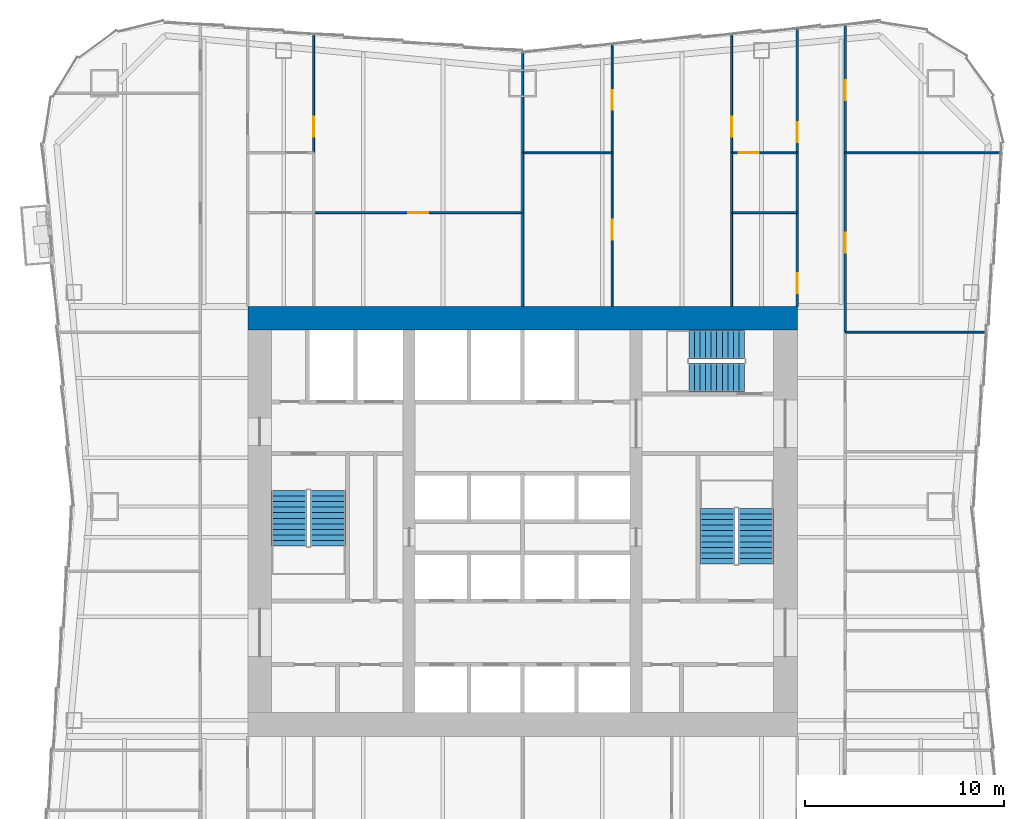
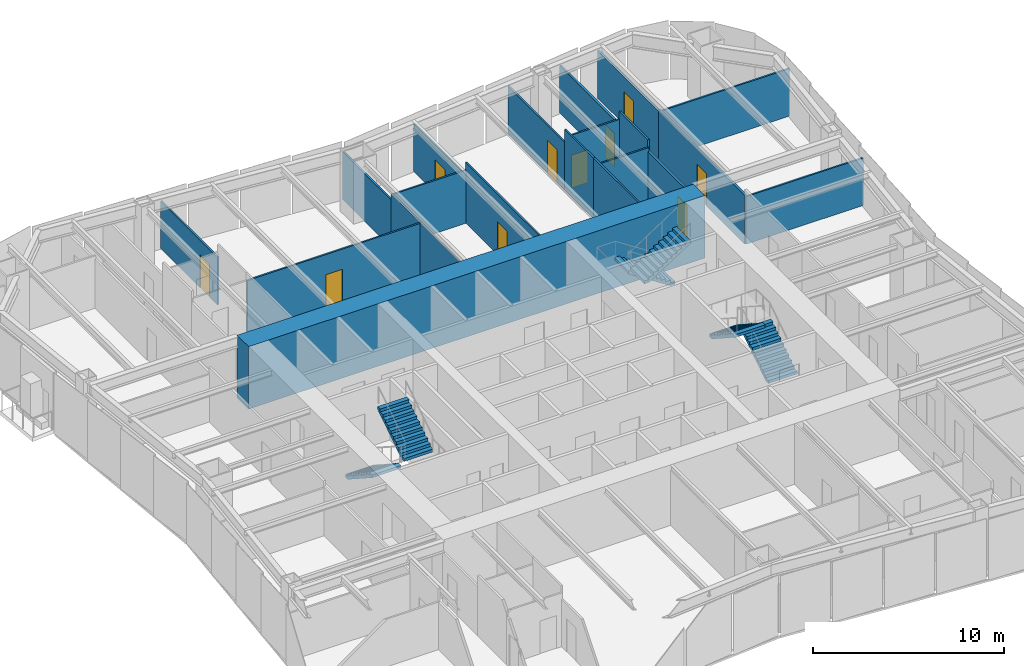
# One storey, part 7 of 9: 21 walls, 10 doors, 6 stair flights, 10 openings, 3 elements without a shape of their own.
"""IFC4 building model written with IfcOpenShell, lengths in metres."""

from ifc_helpers import new_model, si_unit, direction, frame, frame_2d, origin, place, context, subcontext, project, spatial, polyline, rectangle, outline, extrude, material, layer, layer_set, type_object, element, fill, aggregate, save


model = new_model("IFC4")

# Units and contexts
model_context = context("Model", 3, precision=1e-05, world=origin(), true_north=direction((0.0, 1.0)))
body_context = subcontext(model_context, "Body", "Model", "MODEL_VIEW")
ifc_project = project(units=[si_unit("LENGTHUNIT", "METRE"), si_unit("AREAUNIT", "SQUARE_METRE"), si_unit("VOLUMEUNIT", "CUBIC_METRE"), si_unit("PLANEANGLEUNIT", "RADIAN"), si_unit("MASSUNIT", "GRAM", prefix="KILO")], contexts=[model_context])

# Site, building, storey
site_placement = place(None, origin())
site = spatial("IfcSite", under=ifc_project, at=site_placement, CompositionType="ELEMENT")
building_placement = place(site_placement, origin())
building = spatial("IfcBuilding", under=site, at=building_placement, Name="Verdant Reach Tower", CompositionType="ELEMENT")
storey_placement = place(building_placement, frame((0.0, 0.0, 90.0)))
storey = spatial("IfcBuildingStorey", under=building, at=storey_placement, Name="L20", CompositionType="ELEMENT", Elevation=90.0)

# Walls
ifc_material_1 = material(Name="Gypsum board on steel studs", Category="steel")
ifc_layer_1 = layer(ifc_material_1, 0.10009765625)
ifc_layer_set_1 = layer_set([ifc_layer_1], Name="FL-W1 Partition 100")
wall_type_1 = type_object("IfcWallType", Name="FL-W1 Partition 100", PredefinedType="PARTITIONING", material=ifc_layer_set_1)
wall_1_placement = place(storey_placement, frame((23.29931640625, 37.5, 0.0), z_axis=(0.0, 0.0, 1.0), x_axis=(-1.0, 0.0, 0.0)))
element("IfcWall", 1, at=wall_1_placement, inside=storey, type_object=wall_type_1, Name="Partition 20.39", PredefinedType="PARTITIONING", context=body_context, shape_type="SweptSolid", body=[
    extrude(rectangle(XDim=7.099365234375, YDim=0.10009765625, at=frame_2d((3.5498046875, 0.0))), origin(), (0.0, 0.0, 1.0), 3.0400390625),
])
wall_2_placement = place(storey_placement, frame((24.038818359375, 46.5, 0.0), z_axis=(0.0, 0.0, 1.0), x_axis=(-1.0, 0.0, 0.0)))
element("IfcWall", 2, at=wall_2_placement, inside=storey, type_object=wall_type_1, Name="Partition 20.40", PredefinedType="PARTITIONING", context=body_context, shape_type="SweptSolid", body=[
    extrude(rectangle(XDim=7.8388671875, YDim=0.10009765625, at=frame_2d((3.91943359375, 0.0))), origin(), (0.0, 0.0, 1.0), 3.0400390625),
])

# Wall, opening, door
wall_3_placement = place(storey_placement, frame((-10.5, 52.455078125, 0.0), z_axis=(0.0, 0.0, 1.0), x_axis=(0.0, -1.0, 0.0)))
wall_3 = element("IfcWall", 3, at=wall_3_placement, inside=storey, type_object=wall_type_1, Name="Partition 20.60", PredefinedType="PARTITIONING", context=body_context, shape_type="SweptSolid", body=[
    extrude(rectangle(XDim=5.958984375, YDim=0.10009765625, at=frame_2d((2.9794921875, 0.0))), origin(), (0.0, 0.0, 1.0), 3.0400390625),
])
opening_1_placement = place(wall_3_placement, frame((4.14453125, 0.0, 0.0)))
opening_1 = element("IfcOpeningElement", 4, at=opening_1_placement, cuts=wall_3, Name="Opening D3", PredefinedType="OPENING", context=body_context, shape_type="SweptSolid", body=[
    extrude(rectangle(XDim=1.0, YDim=2.10009765625, at=frame_2d((0.5, 1.050048828125))), frame((0.0, 0.06005859375, 0.0), z_axis=(0.0, -1.0, 0.0), x_axis=(1.0, 0.0, 0.0)), (0.0, 0.0, 1.0), 0.1201171875),
])
ifc_material_2 = material(Name="Painted timber door leaf", Category="wood")
door_type_1 = type_object("IfcDoorType", Name="FL-D3 Door 1000x2100", OperationType="NOTDEFINED", PredefinedType="DOOR", material=ifc_material_2)
door_1_placement = place(opening_1_placement, origin())
door_1 = element("IfcDoor", 5, at=door_1_placement, inside=storey, type_object=door_type_1, Name="Door 20-031", OperationType="SINGLE_SWING_RIGHT", OverallHeight=2.10009765625, OverallWidth=1.0, PredefinedType="DOOR", context=body_context, shape_type="SweptSolid", body=[
    extrude(rectangle(XDim=1.0, YDim=2.10009765625, at=frame_2d((0.5, 1.050048828125))), frame((0.0, 0.02490234375, 0.0), z_axis=(0.0, -1.0, 0.0), x_axis=(1.0, 0.0, 0.0)), (0.0, 0.0, 1.0), 0.050048828125),
])
fill(opening_1, door_1)

wall_4_placement = place(storey_placement, frame((0.0, 43.5, 0.0), z_axis=(0.0, 0.0, 1.0), x_axis=(-1.0, 0.0, 0.0)))
wall_4 = element("IfcWall", 6, at=wall_4_placement, inside=storey, type_object=wall_type_1, Name="Partition 20.61", PredefinedType="PARTITIONING", context=body_context, shape_type="SweptSolid", body=[
    extrude(rectangle(XDim=10.5, YDim=0.10009765625, at=frame_2d((5.25, 0.0))), origin(), (0.0, 0.0, 1.0), 3.389892578125),
])
opening_2_placement = place(wall_4_placement, frame((4.75, 0.0, 0.0)))
opening_2 = element("IfcOpeningElement", 7, at=opening_2_placement, cuts=wall_4, Name="Opening D3", PredefinedType="OPENING", context=body_context, shape_type="SweptSolid", body=[
    extrude(rectangle(XDim=1.0, YDim=2.10009765625, at=frame_2d((0.5, 1.050048828125))), frame((0.0, 0.06005859375, 0.0), z_axis=(0.0, -1.0, 0.0), x_axis=(1.0, 0.0, 0.0)), (0.0, 0.0, 1.0), 0.1201171875),
])
door_2_placement = place(opening_2_placement, origin())
door_2 = element("IfcDoor", 8, at=door_2_placement, inside=storey, type_object=door_type_1, Name="Door 20-032", OperationType="SINGLE_SWING_RIGHT", OverallHeight=2.10009765625, OverallWidth=1.0, PredefinedType="DOOR", context=body_context, shape_type="SweptSolid", body=[
    extrude(rectangle(XDim=1.0, YDim=2.10009765625, at=frame_2d((0.5, 1.050048828125))), frame((0.0, 0.02490234375, 0.0), z_axis=(0.0, -1.0, 0.0), x_axis=(1.0, 0.0, 0.0)), (0.0, 0.0, 1.0), 0.050048828125),
])
fill(opening_2, door_2)

# Walls
wall_5_placement = place(storey_placement, frame((0.0, 38.800048828125, 0.0), z_axis=(0.0, 0.0, 1.0), x_axis=(0.0, 1.0, 0.0)))
element("IfcWall", 9, at=wall_5_placement, inside=storey, type_object=wall_type_1, Name="Partition 20.62", PredefinedType="PARTITIONING", context=body_context, shape_type="SweptSolid", body=[
    extrude(rectangle(XDim=4.703857421875, YDim=0.10009765625, at=frame_2d((2.35205078125, 0.0))), origin(), (0.0, 0.0, 1.0), 3.43994140625),
])
wall_6_placement = place(storey_placement, frame((0.0, 43.49609375, 0.0), z_axis=(0.0, 0.0, 1.0), x_axis=(0.0, 1.0, 0.0)))
element("IfcWall", 10, at=wall_6_placement, inside=storey, type_object=wall_type_1, Name="Partition 20.63", PredefinedType="PARTITIONING", context=body_context, shape_type="SweptSolid", body=[
    extrude(rectangle(XDim=3.00390625, YDim=0.10009765625, at=frame_2d((1.501953125, 0.0))), origin(), (0.0, 0.0, 1.0), 3.43994140625),
])
wall_7_placement = place(storey_placement, frame((0.0, 46.5, 0.0), z_axis=(0.0, 0.0, 1.0), x_axis=(0.0, 1.0, 0.0)))
element("IfcWall", 11, at=wall_7_placement, inside=storey, type_object=wall_type_1, Name="Partition 20.64", PredefinedType="PARTITIONING", context=body_context, shape_type="SweptSolid", body=[
    extrude(rectangle(XDim=5.080078125, YDim=0.10009765625, at=frame_2d((2.5400390625, 0.0))), origin(), (0.0, 0.0, 1.0), 3.0400390625),
])
wall_8_placement = place(storey_placement, frame((13.800048828125, 43.5, 0.0), z_axis=(0.0, 0.0, 1.0), x_axis=(-1.0, 0.0, 0.0)))
element("IfcWall", 12, at=wall_8_placement, inside=storey, type_object=wall_type_1, Name="Partition 20.65", PredefinedType="PARTITIONING", context=body_context, shape_type="SweptSolid", body=[
    extrude(rectangle(XDim=3.300048828125, YDim=0.10009765625, at=frame_2d((1.64990234375, 0.0))), origin(), (0.0, 0.0, 1.0), 3.389892578125),
])
wall_9_placement = place(storey_placement, frame((10.5, 43.50390625, 0.0), z_axis=(0.0, 0.0, 1.0), x_axis=(0.0, -1.0, 0.0)))
element("IfcWall", 13, at=wall_9_placement, inside=storey, type_object=wall_type_1, Name="Partition 20.66", PredefinedType="PARTITIONING", context=body_context, shape_type="SweptSolid", body=[
    extrude(rectangle(XDim=4.703857421875, YDim=0.10009765625, at=frame_2d((2.35205078125, 0.0))), origin(), (0.0, 0.0, 1.0), 3.8701171875),
])

# Wall, opening, door
wall_10_placement = place(storey_placement, frame((13.800048828125, 46.5, 0.0), z_axis=(0.0, 0.0, 1.0), x_axis=(-1.0, 0.0, 0.0)))
wall_10 = element("IfcWall", 14, at=wall_10_placement, inside=storey, type_object=wall_type_1, Name="Partition 20.67", PredefinedType="PARTITIONING", context=body_context, shape_type="SweptSolid", body=[
    extrude(rectangle(XDim=3.300048828125, YDim=0.10009765625, at=frame_2d((1.64990234375, 0.0))), origin(), (0.0, 0.0, 1.0), 3.389892578125),
])
opening_3_placement = place(wall_10_placement, frame((1.949951171875, 0.0, 0.0)))
opening_3 = element("IfcOpeningElement", 15, at=opening_3_placement, cuts=wall_10, Name="Opening D3", PredefinedType="OPENING", context=body_context, shape_type="SweptSolid", body=[
    extrude(rectangle(XDim=1.0, YDim=2.10009765625, at=frame_2d((0.5, 1.050048828125))), frame((0.0, 0.06005859375, 0.0), z_axis=(0.0, -1.0, 0.0), x_axis=(1.0, 0.0, 0.0)), (0.0, 0.0, 1.0), 0.1201171875),
])
door_3_placement = place(opening_3_placement, origin())
door_3 = element("IfcDoor", 16, at=door_3_placement, inside=storey, type_object=door_type_1, Name="Door 20-033", OperationType="SINGLE_SWING_RIGHT", OverallHeight=2.10009765625, OverallWidth=1.0, PredefinedType="DOOR", context=body_context, shape_type="SweptSolid", body=[
    extrude(rectangle(XDim=1.0, YDim=2.10009765625, at=frame_2d((0.5, 1.050048828125))), frame((0.0, 0.02490234375, 0.0), z_axis=(0.0, -1.0, 0.0), x_axis=(1.0, 0.0, 0.0)), (0.0, 0.0, 1.0), 0.050048828125),
])
fill(opening_3, door_3)

# Wall
wall_11_placement = place(storey_placement, frame((10.5, 46.50390625, 0.0), z_axis=(0.0, 0.0, 1.0), x_axis=(0.0, -1.0, 0.0)))
element("IfcWall", 17, at=wall_11_placement, inside=storey, type_object=wall_type_1, Name="Partition 20.68", PredefinedType="PARTITIONING", context=body_context, shape_type="SweptSolid", body=[
    extrude(rectangle(XDim=3.0078125, YDim=0.10009765625, at=frame_2d((1.50390625, 0.0))), origin(), (0.0, 0.0, 1.0), 3.8701171875),
])

# Wall, opening, door
wall_12_placement = place(storey_placement, frame((10.5, 46.49609375, 0.0), z_axis=(0.0, 0.0, 1.0), x_axis=(0.0, 1.0, 0.0)))
wall_12 = element("IfcWall", 18, at=wall_12_placement, inside=storey, type_object=wall_type_1, Name="Partition 20.69", PredefinedType="PARTITIONING", context=body_context, shape_type="SweptSolid", body=[
    extrude(rectangle(XDim=5.958984375, YDim=0.10009765625, at=frame_2d((2.9794921875, 0.0))), origin(), (0.0, 0.0, 1.0), 3.0400390625),
])
opening_4_placement = place(wall_12_placement, frame((0.814453125, 0.0, 0.0)))
opening_4 = element("IfcOpeningElement", 19, at=opening_4_placement, cuts=wall_12, Name="Opening D3", PredefinedType="OPENING", context=body_context, shape_type="SweptSolid", body=[
    extrude(rectangle(XDim=1.0, YDim=2.10009765625, at=frame_2d((0.5, 1.050048828125))), frame((0.0, 0.06005859375, 0.0), z_axis=(0.0, -1.0, 0.0), x_axis=(1.0, 0.0, 0.0)), (0.0, 0.0, 1.0), 0.1201171875),
])
door_4_placement = place(opening_4_placement, origin())
door_4 = element("IfcDoor", 20, at=door_4_placement, inside=storey, type_object=door_type_1, Name="Door 20-034", OperationType="SINGLE_SWING_LEFT", OverallHeight=2.10009765625, OverallWidth=1.0, PredefinedType="DOOR", context=body_context, shape_type="SweptSolid", body=[
    extrude(rectangle(XDim=1.0, YDim=2.10009765625, at=frame_2d((0.5, 1.050048828125))), frame((0.0, 0.02490234375, 0.0), z_axis=(0.0, -1.0, 0.0), x_axis=(1.0, 0.0, 0.0)), (0.0, 0.0, 1.0), 0.050048828125),
])
fill(opening_4, door_4)

wall_13_placement = place(storey_placement, frame((4.5, 38.800048828125, 0.0), z_axis=(0.0, 0.0, 1.0), x_axis=(0.0, 1.0, 0.0)))
wall_13 = element("IfcWall", 21, at=wall_13_placement, inside=storey, type_object=wall_type_1, Name="Partition 20.70", PredefinedType="PARTITIONING", context=body_context, shape_type="SweptSolid", body=[
    extrude(rectangle(XDim=7.699951171875, YDim=0.10009765625, at=frame_2d((3.85009765625, 0.0))), origin(), (0.0, 0.0, 1.0), 3.8701171875),
])
opening_5_placement = place(wall_13_placement, frame((3.35009765625, 0.0, 0.0)))
opening_5 = element("IfcOpeningElement", 22, at=opening_5_placement, cuts=wall_13, Name="Opening D3", PredefinedType="OPENING", context=body_context, shape_type="SweptSolid", body=[
    extrude(rectangle(XDim=1.0, YDim=2.10009765625, at=frame_2d((0.5, 1.050048828125))), frame((0.0, 0.06005859375, 0.0), z_axis=(0.0, -1.0, 0.0), x_axis=(1.0, 0.0, 0.0)), (0.0, 0.0, 1.0), 0.1201171875),
])
door_5_placement = place(opening_5_placement, origin())
door_5 = element("IfcDoor", 23, at=door_5_placement, inside=storey, type_object=door_type_1, Name="Door 20-035", OperationType="SINGLE_SWING_LEFT", OverallHeight=2.10009765625, OverallWidth=1.0, PredefinedType="DOOR", context=body_context, shape_type="SweptSolid", body=[
    extrude(rectangle(XDim=1.0, YDim=2.10009765625, at=frame_2d((0.5, 1.050048828125))), frame((0.0, 0.02490234375, 0.0), z_axis=(0.0, -1.0, 0.0), x_axis=(1.0, 0.0, 0.0)), (0.0, 0.0, 1.0), 0.050048828125),
])
fill(opening_5, door_5)

wall_14_placement = place(storey_placement, frame((4.5, 46.5, 0.0), z_axis=(0.0, 0.0, 1.0), x_axis=(0.0, 1.0, 0.0)))
wall_14 = element("IfcWall", 24, at=wall_14_placement, inside=storey, type_object=wall_type_1, Name="Partition 20.71", PredefinedType="PARTITIONING", context=body_context, shape_type="SweptSolid", body=[
    extrude(rectangle(XDim=5.455078125, YDim=0.10009765625, at=frame_2d((2.7275390625, 0.0))), origin(), (0.0, 0.0, 1.0), 3.0400390625),
])
opening_6_placement = place(wall_14_placement, frame((2.162353515625, 0.0, 0.0)))
opening_6 = element("IfcOpeningElement", 25, at=opening_6_placement, cuts=wall_14, Name="Opening D3", PredefinedType="OPENING", context=body_context, shape_type="SweptSolid", body=[
    extrude(rectangle(XDim=1.0, YDim=2.10009765625, at=frame_2d((0.5, 1.050048828125))), frame((0.0, 0.06005859375, 0.0), z_axis=(0.0, -1.0, 0.0), x_axis=(1.0, 0.0, 0.0)), (0.0, 0.0, 1.0), 0.1201171875),
])
door_6_placement = place(opening_6_placement, origin())
door_6 = element("IfcDoor", 26, at=door_6_placement, inside=storey, type_object=door_type_1, Name="Door 20-036", OperationType="SINGLE_SWING_LEFT", OverallHeight=2.10009765625, OverallWidth=1.0, PredefinedType="DOOR", context=body_context, shape_type="SweptSolid", body=[
    extrude(rectangle(XDim=1.0, YDim=2.10009765625, at=frame_2d((0.5, 1.050048828125))), frame((0.0, 0.02490234375, 0.0), z_axis=(0.0, -1.0, 0.0), x_axis=(1.0, 0.0, 0.0)), (0.0, 0.0, 1.0), 0.050048828125),
])
fill(opening_6, door_6)

# Wall
wall_15_placement = place(storey_placement, frame((4.5, 46.5, 0.0), z_axis=(0.0, 0.0, 1.0), x_axis=(-1.0, 0.0, 0.0)))
element("IfcWall", 27, at=wall_15_placement, inside=storey, type_object=wall_type_1, Name="Partition 20.72", PredefinedType="PARTITIONING", context=body_context, shape_type="SweptSolid", body=[
    extrude(rectangle(XDim=4.5, YDim=0.10009765625, at=frame_2d((2.25, 0.0))), origin(), (0.0, 0.0, 1.0), 3.389892578125),
])

# Wall, opening, door
ifc_material_3 = material(Name="Gypsum board on steel studs, fire rated", Category="steel")
ifc_layer_2 = layer(ifc_material_3, 0.125)
ifc_layer_set_2 = layer_set([ifc_layer_2], Name="FL-W2 Corridor wall 125")
wall_type_2 = type_object("IfcWallType", Name="FL-W2 Corridor wall 125", PredefinedType="PARTITIONING", material=ifc_layer_set_2)
wall_16_placement = place(storey_placement, frame((16.199951171875, 46.5, 0.0), z_axis=(0.0, 0.0, 1.0), x_axis=(0.0, -1.0, 0.0)))
wall_16 = element("IfcWall", 28, at=wall_16_placement, inside=storey, type_object=wall_type_2, Name="Partition 20.20", PredefinedType="PARTITIONING", context=body_context, shape_type="SweptSolid", body=[
    extrude(rectangle(XDim=9.0, YDim=0.125, at=frame_2d((4.5, 0.0))), origin(), (0.0, 0.0, 1.0), 3.139892578125),
])
opening_7_placement = place(wall_16_placement, frame((4.0, 0.0, 0.0)))
opening_7 = element("IfcOpeningElement", 29, at=opening_7_placement, cuts=wall_16, Name="Opening D2", PredefinedType="OPENING", context=body_context, shape_type="SweptSolid", body=[
    extrude(rectangle(XDim=1.0, YDim=2.10009765625, at=frame_2d((0.5, 1.050048828125))), frame((0.0, 0.072509765625, 0.0), z_axis=(0.0, -1.0, 0.0), x_axis=(1.0, 0.0, 0.0)), (0.0, 0.0, 1.0), 0.14501953125),
])
ifc_material_4 = material(Name="Timber door leaf, fire rated", Category="wood")
door_type_2 = type_object("IfcDoorType", Name="FL-D2 Entrance door 1000x2100 FD30", OperationType="NOTDEFINED", PredefinedType="DOOR", material=ifc_material_4)
door_7_placement = place(opening_7_placement, origin())
door_7 = element("IfcDoor", 30, at=door_7_placement, inside=storey, type_object=door_type_2, Name="Door 20-017", OperationType="SINGLE_SWING_LEFT", OverallHeight=2.10009765625, OverallWidth=1.0, PredefinedType="DOOR", context=body_context, shape_type="SweptSolid", body=[
    extrude(rectangle(XDim=1.0, YDim=2.10009765625, at=frame_2d((0.5, 1.050048828125))), frame((0.0, 0.02490234375, 0.0), z_axis=(0.0, -1.0, 0.0), x_axis=(1.0, 0.0, 0.0)), (0.0, 0.0, 1.0), 0.050048828125),
])
fill(opening_7, door_7)

wall_17_placement = place(storey_placement, frame((16.199951171875, 52.929931640625, 0.0), z_axis=(0.0, 0.0, 1.0), x_axis=(0.0, -1.0, 0.0)))
wall_17 = element("IfcWall", 31, at=wall_17_placement, inside=storey, type_object=wall_type_2, Name="Partition 20.21", PredefinedType="PARTITIONING", context=body_context, shape_type="SweptSolid", body=[
    extrude(rectangle(XDim=6.429931640625, YDim=0.125, at=frame_2d((3.21484375, 0.0))), origin(), (0.0, 0.0, 1.0), 3.0400390625),
])
opening_8_placement = place(wall_17_placement, frame((2.780029296875, 0.0, 0.0)))
opening_8 = element("IfcOpeningElement", 32, at=opening_8_placement, cuts=wall_17, Name="Opening D2", PredefinedType="OPENING", context=body_context, shape_type="SweptSolid", body=[
    extrude(rectangle(XDim=1.0, YDim=2.10009765625, at=frame_2d((0.5, 1.050048828125))), frame((0.0, 0.072509765625, 0.0), z_axis=(0.0, -1.0, 0.0), x_axis=(1.0, 0.0, 0.0)), (0.0, 0.0, 1.0), 0.14501953125),
])
door_8_placement = place(opening_8_placement, origin())
door_8 = element("IfcDoor", 33, at=door_8_placement, inside=storey, type_object=door_type_2, Name="Door 20-018", OperationType="SINGLE_SWING_RIGHT", OverallHeight=2.10009765625, OverallWidth=1.0, PredefinedType="DOOR", context=body_context, shape_type="SweptSolid", body=[
    extrude(rectangle(XDim=1.0, YDim=2.10009765625, at=frame_2d((0.5, 1.050048828125))), frame((0.0, 0.02490234375, 0.0), z_axis=(0.0, -1.0, 0.0), x_axis=(1.0, 0.0, 0.0)), (0.0, 0.0, 1.0), 0.050048828125),
])
fill(opening_8, door_8)

wall_18_placement = place(storey_placement, frame((13.800048828125, 38.800048828125, 0.0), z_axis=(0.0, 0.0, 1.0), x_axis=(0.0, 1.0, 0.0)))
wall_18 = element("IfcWall", 34, at=wall_18_placement, inside=storey, type_object=wall_type_2, Name="Partition 20.25", PredefinedType="PARTITIONING", context=body_context, shape_type="SweptSolid", body=[
    extrude(rectangle(XDim=4.699951171875, YDim=0.125, at=frame_2d((2.35009765625, 0.0))), origin(), (0.0, 0.0, 1.0), 3.139892578125),
])
opening_9_placement = place(wall_18_placement, frame((0.64990234375, 0.0, 0.0)))
opening_9 = element("IfcOpeningElement", 35, at=opening_9_placement, cuts=wall_18, Name="Opening D2", PredefinedType="OPENING", context=body_context, shape_type="SweptSolid", body=[
    extrude(rectangle(XDim=1.0, YDim=2.10009765625, at=frame_2d((0.5, 1.050048828125))), frame((0.0, 0.072509765625, 0.0), z_axis=(0.0, -1.0, 0.0), x_axis=(1.0, 0.0, 0.0)), (0.0, 0.0, 1.0), 0.14501953125),
])
door_9_placement = place(opening_9_placement, origin())
door_9 = element("IfcDoor", 36, at=door_9_placement, inside=storey, type_object=door_type_2, Name="Door 20-021", OperationType="SINGLE_SWING_LEFT", OverallHeight=2.10009765625, OverallWidth=1.0, PredefinedType="DOOR", context=body_context, shape_type="SweptSolid", body=[
    extrude(rectangle(XDim=1.0, YDim=2.10009765625, at=frame_2d((0.5, 1.050048828125))), frame((0.0, 0.02490234375, 0.0), z_axis=(0.0, -1.0, 0.0), x_axis=(1.0, 0.0, 0.0)), (0.0, 0.0, 1.0), 0.050048828125),
])
fill(opening_9, door_9)

# Wall
wall_19_placement = place(storey_placement, frame((13.800048828125, 46.5, 0.0), z_axis=(0.0, 0.0, 1.0), x_axis=(0.0, -1.0, 0.0)))
element("IfcWall", 37, at=wall_19_placement, inside=storey, type_object=wall_type_2, Name="Partition 20.26", PredefinedType="PARTITIONING", context=body_context, shape_type="SweptSolid", body=[
    extrude(rectangle(XDim=3.0, YDim=0.125, at=frame_2d((1.5, 0.0))), origin(), (0.0, 0.0, 1.0), 3.8701171875),
])

# Wall, opening, door
wall_20_placement = place(storey_placement, frame((13.800048828125, 46.5, 0.0), z_axis=(0.0, 0.0, 1.0), x_axis=(0.0, 1.0, 0.0)))
wall_20 = element("IfcWall", 38, at=wall_20_placement, inside=storey, type_object=wall_type_2, Name="Partition 20.27", PredefinedType="PARTITIONING", context=body_context, shape_type="SweptSolid", body=[
    extrude(rectangle(XDim=6.22998046875, YDim=0.125, at=frame_2d((3.114990234375, 0.0))), origin(), (0.0, 0.0, 1.0), 3.0400390625),
])
opening_10_placement = place(wall_20_placement, frame((0.5498046875, 0.0, 0.0)))
opening_10 = element("IfcOpeningElement", 39, at=opening_10_placement, cuts=wall_20, Name="Opening D2", PredefinedType="OPENING", context=body_context, shape_type="SweptSolid", body=[
    extrude(rectangle(XDim=1.0, YDim=2.10009765625, at=frame_2d((0.5, 1.050048828125))), frame((0.0, 0.072509765625, 0.0), z_axis=(0.0, -1.0, 0.0), x_axis=(1.0, 0.0, 0.0)), (0.0, 0.0, 1.0), 0.14501953125),
])
door_10_placement = place(opening_10_placement, origin())
door_10 = element("IfcDoor", 40, at=door_10_placement, inside=storey, type_object=door_type_2, Name="Door 20-022", OperationType="SINGLE_SWING_LEFT", OverallHeight=2.10009765625, OverallWidth=1.0, PredefinedType="DOOR", context=body_context, shape_type="SweptSolid", body=[
    extrude(rectangle(XDim=1.0, YDim=2.10009765625, at=frame_2d((0.5, 1.050048828125))), frame((0.0, 0.02490234375, 0.0), z_axis=(0.0, -1.0, 0.0), x_axis=(1.0, 0.0, 0.0)), (0.0, 0.0, 1.0), 0.050048828125),
])
fill(opening_10, door_10)

# Wall
ifc_material_5 = material(Name="Concrete C70/85", Category="concrete")
ifc_layer_3 = layer(ifc_material_5, 1.199951171875)
ifc_layer_set_3 = layer_set([ifc_layer_3], Name="ST-CORE-WALL-1200")
wall_type_3 = type_object("IfcWallType", Name="ST-CORE-WALL-1200", PredefinedType="SHEAR", material=ifc_layer_set_3)
wall_21_placement = place(storey_placement, frame((-13.800048828125, 38.199951171875, -0.1298828125), z_axis=(0.0, 0.0, 1.0), x_axis=(1.0, 0.0, 0.0)))
element("IfcWall", 41, at=wall_21_placement, inside=storey, type_object=wall_type_3, Name="Core wall N, L20", PredefinedType="SHEAR", context=body_context, shape_type="SweptSolid", body=[
    extrude(rectangle(XDim=27.60009765625, YDim=1.199951171875, at=frame_2d((13.800048828125, 0.0))), origin(), (0.0, 0.0, 1.0), 4.0),
])

# Stair, stair flights
ifc_material_6 = material(Name="Concrete C40/50", Category="concrete")
stair_type = type_object("IfcStairType", Name="CO-STAIR", PredefinedType="HALF_TURN_STAIR", material=ifc_material_6)
stair_1_placement = place(storey_placement, origin())
stair_1 = element("IfcStair", 42, at=stair_1_placement, inside=storey, type_object=stair_type, Name="L20 Exit stair 1", PredefinedType="HALF_TURN_STAIR")
stair_flight_type = type_object("IfcStairFlightType", Name="CO-STAIR-FLIGHT", PredefinedType="STRAIGHT", material=ifc_material_6)
stair_flight_1_placement = place(storey_placement, frame((-11.72509765625, 29.550048828125, 0.0), z_axis=(0.0, 0.0, 1.0), x_axis=(0.0, -1.0, 0.0)))
stair_flight_1 = element("IfcStairFlight", 43, at=stair_flight_1_placement, type_object=stair_flight_type, Name="ST-1 flight 1", NumberOfRisers=11, NumberOfTreads=10, PredefinedType="STRAIGHT", RiserHeight=0.181818182, TreadLength=0.28, context=body_context, shape_type="SweptSolid", body=[
    extrude(outline(polyline([(0.0, 0.0), (0.0, 0.181884765625), (0.280029296875, 0.181884765625), (0.280029296875, 0.363525390625), (0.56005859375, 0.363525390625), (0.56005859375, 0.54541015625), (0.840087890625, 0.54541015625), (0.840087890625, 0.727294921875), (1.1201171875, 0.727294921875), (1.1201171875, 0.9091796875), (1.39990234375, 0.9091796875), (1.39990234375, 1.0908203125), (1.679931640625, 1.0908203125), (1.679931640625, 1.272705078125), (1.9599609375, 1.272705078125), (1.9599609375, 1.45458984375), (2.239990234375, 1.45458984375), (2.239990234375, 1.636474609375), (2.52001953125, 1.636474609375), (2.52001953125, 1.818115234375), (2.800048828125, 1.818115234375), (2.800048828125, 2.0), (2.800048828125, 1.639404296875), (0.275146484375, 0.0), (0.0, 0.0)])), frame((0.0, 0.875, 0.0), z_axis=(0.0, -1.0, 0.0), x_axis=(1.0, 0.0, 0.0)), (0.0, 0.0, 1.0), 1.75),
])
stair_flight_2_placement = place(storey_placement, frame((-9.77490234375, 26.75, 2.0), z_axis=(0.0, 0.0, 1.0), x_axis=(0.0, 1.0, 0.0)))
stair_flight_2 = element("IfcStairFlight", 44, at=stair_flight_2_placement, type_object=stair_flight_type, Name="ST-1 flight 2", NumberOfRisers=11, NumberOfTreads=10, PredefinedType="STRAIGHT", RiserHeight=0.181818182, TreadLength=0.28, context=body_context, shape_type="SweptSolid", body=[
    extrude(outline(polyline([(0.0, 0.0), (0.0, 0.181884765625), (0.280029296875, 0.181884765625), (0.280029296875, 0.363525390625), (0.56005859375, 0.363525390625), (0.56005859375, 0.54541015625), (0.840087890625, 0.54541015625), (0.840087890625, 0.727294921875), (1.1201171875, 0.727294921875), (1.1201171875, 0.9091796875), (1.39990234375, 0.9091796875), (1.39990234375, 1.0908203125), (1.679931640625, 1.0908203125), (1.679931640625, 1.272705078125), (1.9599609375, 1.272705078125), (1.9599609375, 1.45458984375), (2.239990234375, 1.45458984375), (2.239990234375, 1.636474609375), (2.52001953125, 1.636474609375), (2.52001953125, 1.818115234375), (2.800048828125, 1.818115234375), (2.800048828125, 2.0), (2.800048828125, 1.639404296875), (0.275146484375, 0.0), (0.0, 0.0)])), frame((0.0, 0.875, 0.0), z_axis=(0.0, -1.0, 0.0), x_axis=(1.0, 0.0, 0.0)), (0.0, 0.0, 1.0), 1.75),
])
aggregate(stair_1, [stair_flight_1, stair_flight_2])

stair_2_placement = place(storey_placement, origin())
stair_2 = element("IfcStair", 45, at=stair_2_placement, inside=storey, type_object=stair_type, Name="L20 Exit stair 2", PredefinedType="HALF_TURN_STAIR")
stair_flight_3_placement = place(storey_placement, frame((11.72509765625, 25.85009765625, 0.0), z_axis=(0.0, 0.0, 1.0), x_axis=(0.0, 1.0, 0.0)))
stair_flight_3 = element("IfcStairFlight", 46, at=stair_flight_3_placement, type_object=stair_flight_type, Name="ST-2 flight 1", NumberOfRisers=11, NumberOfTreads=10, PredefinedType="STRAIGHT", RiserHeight=0.181818182, TreadLength=0.28, context=body_context, shape_type="SweptSolid", body=[
    extrude(outline(polyline([(0.0, 0.0), (0.0, 0.181884765625), (0.280029296875, 0.181884765625), (0.280029296875, 0.363525390625), (0.56005859375, 0.363525390625), (0.56005859375, 0.54541015625), (0.840087890625, 0.54541015625), (0.840087890625, 0.727294921875), (1.1201171875, 0.727294921875), (1.1201171875, 0.9091796875), (1.39990234375, 0.9091796875), (1.39990234375, 1.0908203125), (1.679931640625, 1.0908203125), (1.679931640625, 1.272705078125), (1.9599609375, 1.272705078125), (1.9599609375, 1.45458984375), (2.239990234375, 1.45458984375), (2.239990234375, 1.636474609375), (2.52001953125, 1.636474609375), (2.52001953125, 1.818115234375), (2.800048828125, 1.818115234375), (2.800048828125, 2.0), (2.800048828125, 1.639404296875), (0.275146484375, 0.0), (0.0, 0.0)])), frame((0.0, 0.875, 0.0), z_axis=(0.0, -1.0, 0.0), x_axis=(1.0, 0.0, 0.0)), (0.0, 0.0, 1.0), 1.75),
])
stair_flight_4_placement = place(storey_placement, frame((9.77490234375, 28.64990234375, 2.0), z_axis=(0.0, 0.0, 1.0), x_axis=(0.0, -1.0, 0.0)))
stair_flight_4 = element("IfcStairFlight", 47, at=stair_flight_4_placement, type_object=stair_flight_type, Name="ST-2 flight 2", NumberOfRisers=11, NumberOfTreads=10, PredefinedType="STRAIGHT", RiserHeight=0.181818182, TreadLength=0.28, context=body_context, shape_type="SweptSolid", body=[
    extrude(outline(polyline([(0.0, 0.0), (0.0, 0.181884765625), (0.280029296875, 0.181884765625), (0.280029296875, 0.363525390625), (0.56005859375, 0.363525390625), (0.56005859375, 0.54541015625), (0.840087890625, 0.54541015625), (0.840087890625, 0.727294921875), (1.1201171875, 0.727294921875), (1.1201171875, 0.9091796875), (1.39990234375, 0.9091796875), (1.39990234375, 1.0908203125), (1.679931640625, 1.0908203125), (1.679931640625, 1.272705078125), (1.9599609375, 1.272705078125), (1.9599609375, 1.45458984375), (2.239990234375, 1.45458984375), (2.239990234375, 1.636474609375), (2.52001953125, 1.636474609375), (2.52001953125, 1.818115234375), (2.800048828125, 1.818115234375), (2.800048828125, 2.0), (2.800048828125, 1.639404296875), (0.275146484375, 0.0), (0.0, 0.0)])), frame((0.0, 0.875, 0.0), z_axis=(0.0, -1.0, 0.0), x_axis=(1.0, 0.0, 0.0)), (0.0, 0.0, 1.0), 1.75),
])
aggregate(stair_2, [stair_flight_3, stair_flight_4])

stair_3_placement = place(storey_placement, origin())
stair_3 = element("IfcStair", 48, at=stair_3_placement, inside=storey, type_object=stair_type, Name="L20 Exit stair 3", PredefinedType="HALF_TURN_STAIR")
stair_flight_5_placement = place(storey_placement, frame((11.14990234375, 36.875, 0.0), z_axis=(0.0, 0.0, 1.0), x_axis=(-1.0, 0.0, 0.0)))
stair_flight_5 = element("IfcStairFlight", 49, at=stair_flight_5_placement, type_object=stair_flight_type, Name="ST-3 flight 1", NumberOfRisers=11, NumberOfTreads=10, PredefinedType="STRAIGHT", RiserHeight=0.181818182, TreadLength=0.28, context=body_context, shape_type="SweptSolid", body=[
    extrude(outline(polyline([(0.0, 0.0), (0.0, 0.181884765625), (0.280029296875, 0.181884765625), (0.280029296875, 0.363525390625), (0.56005859375, 0.363525390625), (0.56005859375, 0.54541015625), (0.840087890625, 0.54541015625), (0.840087890625, 0.727294921875), (1.1201171875, 0.727294921875), (1.1201171875, 0.9091796875), (1.39990234375, 0.9091796875), (1.39990234375, 1.0908203125), (1.679931640625, 1.0908203125), (1.679931640625, 1.272705078125), (1.9599609375, 1.272705078125), (1.9599609375, 1.45458984375), (2.239990234375, 1.45458984375), (2.239990234375, 1.636474609375), (2.52001953125, 1.636474609375), (2.52001953125, 1.818115234375), (2.800048828125, 1.818115234375), (2.800048828125, 2.0), (2.800048828125, 1.639404296875), (0.275146484375, 0.0), (0.0, 0.0)])), frame((0.0, 0.72509765625, 0.0), z_axis=(0.0, -1.0, 0.0), x_axis=(1.0, 0.0, 0.0)), (0.0, 0.0, 1.0), 1.449951171875),
])
stair_flight_6_placement = place(storey_placement, frame((8.35009765625, 35.22509765625, 2.0), z_axis=(0.0, 0.0, 1.0), x_axis=(1.0, 0.0, 0.0)))
stair_flight_6 = element("IfcStairFlight", 50, at=stair_flight_6_placement, type_object=stair_flight_type, Name="ST-3 flight 2", NumberOfRisers=11, NumberOfTreads=10, PredefinedType="STRAIGHT", RiserHeight=0.181818182, TreadLength=0.28, context=body_context, shape_type="SweptSolid", body=[
    extrude(outline(polyline([(0.0, 0.0), (0.0, 0.181884765625), (0.280029296875, 0.181884765625), (0.280029296875, 0.363525390625), (0.56005859375, 0.363525390625), (0.56005859375, 0.54541015625), (0.840087890625, 0.54541015625), (0.840087890625, 0.727294921875), (1.1201171875, 0.727294921875), (1.1201171875, 0.9091796875), (1.39990234375, 0.9091796875), (1.39990234375, 1.0908203125), (1.679931640625, 1.0908203125), (1.679931640625, 1.272705078125), (1.9599609375, 1.272705078125), (1.9599609375, 1.45458984375), (2.239990234375, 1.45458984375), (2.239990234375, 1.636474609375), (2.52001953125, 1.636474609375), (2.52001953125, 1.818115234375), (2.800048828125, 1.818115234375), (2.800048828125, 2.0), (2.800048828125, 1.639404296875), (0.275146484375, 0.0), (0.0, 0.0)])), frame((0.0, 0.72509765625, 0.0), z_axis=(0.0, -1.0, 0.0), x_axis=(1.0, 0.0, 0.0)), (0.0, 0.0, 1.0), 1.449951171875),
])
aggregate(stair_3, [stair_flight_5, stair_flight_6])

save(model, "model.ifc")
